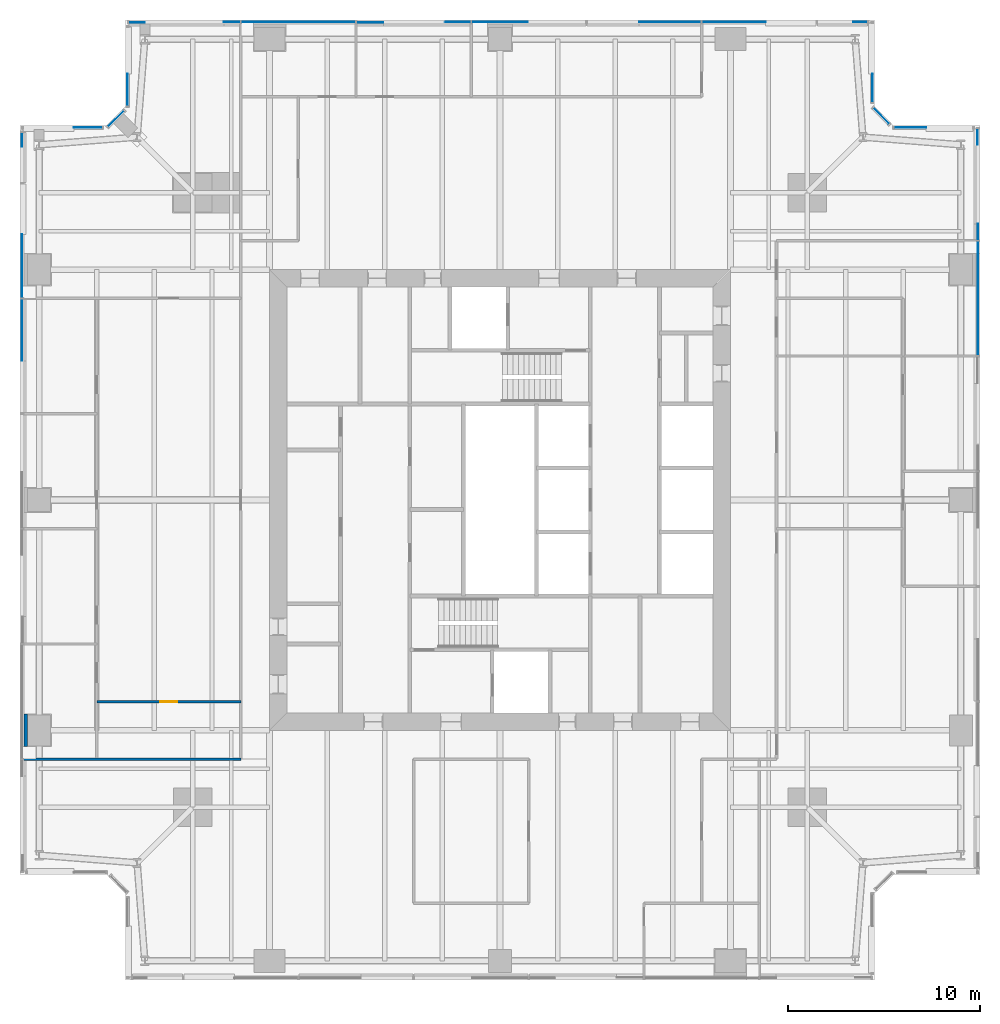
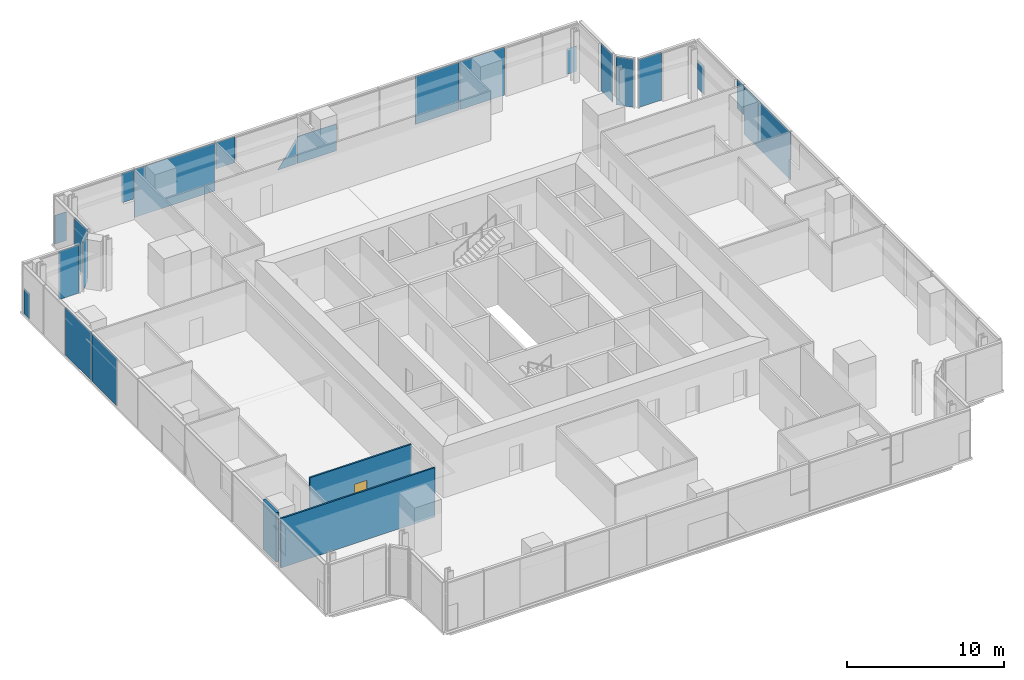
# One storey, part 10 of 16: 21 plates, 3 walls, 1 door, 1 opening, 9 elements without a shape of their own.
"""IFC4 building model written with IfcOpenShell, lengths in metres."""

from ifc_helpers import new_model, si_unit, direction, frame, frame_2d, origin, origin_2d, place, context, subcontext, project, spatial, polyline, rectangle, outline, extrude, material, layer, layer_set, type_object, element, fill, aggregate, save


model = new_model("IFC4")

# Units and contexts
model_context = context("Model", 3, precision=1e-05, world=origin(), true_north=direction((0.0, 1.0)))
body_context = subcontext(model_context, "Body", "Model", "MODEL_VIEW")
ifc_project = project(units=[si_unit("LENGTHUNIT", "METRE"), si_unit("AREAUNIT", "SQUARE_METRE"), si_unit("VOLUMEUNIT", "CUBIC_METRE"), si_unit("PLANEANGLEUNIT", "RADIAN"), si_unit("MASSUNIT", "GRAM", prefix="KILO")], contexts=[model_context])

# Site, building, storey
site_placement = place(None, origin())
site = spatial("IfcSite", under=ifc_project, at=site_placement, CompositionType="ELEMENT")
building_placement = place(site_placement, origin())
building = spatial("IfcBuilding", under=site, at=building_placement, Name="Fenwick Lantern Interchange", CompositionType="ELEMENT")
storey_placement = place(building_placement, frame((0.0, 0.0, 177.800048828125)))
storey = spatial("IfcBuildingStorey", under=building, at=storey_placement, Name="L41", CompositionType="ELEMENT", Elevation=177.800048828125)

# Curtain wall, plates
ifc_material_1 = material(Name="Aluminium curtain wall frame", Category="aluminium")
curtain_wall_type = type_object("IfcCurtainWallType", Name="OFFICE CURTAIN WALL", PredefinedType="USERDEFINED", material=ifc_material_1)
curtain_wall_1_placement = place(storey_placement, origin())
curtain_wall_1 = element("IfcCurtainWall", 1, at=curtain_wall_1_placement, inside=storey, type_object=curtain_wall_type, Name="Office curtain wall 05", ObjectType="OFFICE CURTAIN WALL", PredefinedType="USERDEFINED")
ifc_material_2 = material(Name="Vision glass, clear low-iron double glazed", Category="glass")
ifc_layer_1 = layer(ifc_material_2, 0.031982421875)
ifc_layer_set_1 = layer_set([ifc_layer_1], Name="OFFICE CURTAIN WALL PANEL 32")
plate_type = type_object("IfcPlateType", Name="OFFICE CURTAIN WALL PANEL 32", PredefinedType="CURTAIN_PANEL", material=ifc_layer_set_1)
plate_1_placement = place(storey_placement, frame((49.89990234375, 35.5, 0.0), z_axis=(0.0, 0.0, 1.0), x_axis=(0.0, 1.0, 0.0)))
plate_1 = element("IfcPlate", 2, at=plate_1_placement, type_object=plate_type, Name="L41/CW/05/P05", PredefinedType="CURTAIN_PANEL", context=body_context, shape_type="SweptSolid", body=[
    extrude(rectangle(XDim=5.93505859375, YDim=0.031982421875, at=origin_2d()), origin(), (0.0, 0.0, 1.0), 3.75),
])
plate_2_placement = place(storey_placement, frame((49.89990234375, 5.60009765625, 1.468017578125), z_axis=(0.0, 0.0, 1.0), x_axis=(0.0, 1.0, 0.0)))
plate_2 = element("IfcPlate", 3, at=plate_2_placement, type_object=plate_type, Name="L41/CW/05/P06a", PredefinedType="CURTAIN_PANEL", context=body_context, shape_type="SweptSolid", body=[
    extrude(outline(polyline([(32.9326171875, 0.0), (33.777587890625, 0.0), (33.777587890625, 2.281982421875), (32.9326171875, 2.281982421875), (32.9326171875, 0.0)])), frame((0.0, 0.01611328125, 0.0), z_axis=(0.0, -1.0, 0.0), x_axis=(1.0, 0.0, 0.0)), (0.0, 0.0, 1.0), 0.031982421875),
])
plate_3_placement = place(storey_placement, frame((49.89990234375, 5.60009765625, 0.0), z_axis=(0.0, 0.0, 1.0), x_axis=(0.0, 1.0, 0.0)))
plate_3 = element("IfcPlate", 4, at=plate_3_placement, type_object=plate_type, Name="L41/CW/05/P06b", PredefinedType="CURTAIN_PANEL", context=body_context, shape_type="SweptSolid", body=[
    extrude(outline(polyline([(37.902587890625, 0.0), (38.735107421875, 0.0), (38.735107421875, 2.2333984375), (37.902587890625, 2.2333984375), (37.902587890625, 0.0)])), frame((0.0, 0.0498046875, 0.0), z_axis=(0.0, -1.0, 0.0), x_axis=(1.0, 0.0, 0.0)), (0.0, 0.0, 1.0), 0.031982421875),
])
aggregate(curtain_wall_1, [plate_1, plate_2, plate_3])

# Curtain wall, plate
curtain_wall_2_placement = place(storey_placement, origin())
curtain_wall_2 = element("IfcCurtainWall", 5, at=curtain_wall_2_placement, inside=storey, type_object=curtain_wall_type, Name="Office curtain wall 06", ObjectType="OFFICE CURTAIN WALL", PredefinedType="USERDEFINED")
plate_4_placement = place(storey_placement, frame((49.89990234375, 44.39990234375, 0.0), z_axis=(0.0, 0.0, 1.0), x_axis=(-1.0, 0.0, 0.0)))
plate_4 = element("IfcPlate", 6, at=plate_4_placement, type_object=plate_type, Name="L41/CW/06/P00a", PredefinedType="CURTAIN_PANEL", context=body_context, shape_type="SweptSolid", body=[
    extrude(outline(polyline([(2.699951171875, 0.0), (4.37646484375, 0.0), (4.37646484375, 3.75), (2.699951171875, 3.75), (2.699951171875, 0.0)])), frame((0.0, 0.01611328125, 0.0), z_axis=(0.0, -1.0, 0.0), x_axis=(1.0, 0.0, 0.0)), (0.0, 0.0, 1.0), 0.031982421875),
])
aggregate(curtain_wall_2, [plate_4])

curtain_wall_3_placement = place(storey_placement, origin())
curtain_wall_3 = element("IfcCurtainWall", 7, at=curtain_wall_3_placement, inside=storey, type_object=curtain_wall_type, Name="Office curtain wall 07", ObjectType="OFFICE CURTAIN WALL", PredefinedType="USERDEFINED")
plate_5_placement = place(storey_placement, frame((44.858642578125, 45.0, 0.0), z_axis=(0.0, 0.0, 1.0), x_axis=(-0.707106781187, 0.707106781187, 0.0)))
plate_5 = element("IfcPlate", 8, at=plate_5_placement, type_object=plate_type, Name="L41/CW/07/P00", PredefinedType="CURTAIN_PANEL", context=body_context, shape_type="SweptSolid", body=[
    extrude(rectangle(XDim=1.1669921875, YDim=0.031982421875, at=origin_2d()), origin(), (0.0, 0.0, 1.0), 3.75),
])
aggregate(curtain_wall_3, [plate_5])

curtain_wall_4_placement = place(storey_placement, origin())
curtain_wall_4 = element("IfcCurtainWall", 9, at=curtain_wall_4_placement, inside=storey, type_object=curtain_wall_type, Name="Office curtain wall 08", ObjectType="OFFICE CURTAIN WALL", PredefinedType="USERDEFINED")
plate_6_placement = place(storey_placement, frame((44.39990234375, 45.45849609375, 0.0), z_axis=(0.0, 0.0, 1.0), x_axis=(0.0, 1.0, 0.0)))
plate_6 = element("IfcPlate", 10, at=plate_6_placement, type_object=plate_type, Name="L41/CW/08/P00a", PredefinedType="CURTAIN_PANEL", context=body_context, shape_type="SweptSolid", body=[
    extrude(outline(polyline([(0.264892578125, 0.0), (1.741455078125, 0.0), (1.741455078125, 3.75), (0.264892578125, 3.75), (0.264892578125, 0.0)])), frame((0.0, 0.01611328125, 0.0), z_axis=(0.0, -1.0, 0.0), x_axis=(1.0, 0.0, 0.0)), (0.0, 0.0, 1.0), 0.031982421875),
])
aggregate(curtain_wall_4, [plate_6])

# Curtain wall, plates
curtain_wall_5_placement = place(storey_placement, origin())
curtain_wall_5 = element("IfcCurtainWall", 11, at=curtain_wall_5_placement, inside=storey, type_object=curtain_wall_type, Name="Office curtain wall 09", ObjectType="OFFICE CURTAIN WALL", PredefinedType="USERDEFINED")
plate_7_placement = place(storey_placement, frame((44.39990234375, 49.89990234375, 0.0), z_axis=(0.0, 0.0, 1.0), x_axis=(-1.0, 0.0, 0.0)))
plate_7 = element("IfcPlate", 12, at=plate_7_placement, type_object=plate_type, Name="L41/CW/09/P00a", PredefinedType="CURTAIN_PANEL", context=body_context, shape_type="SweptSolid", body=[
    extrude(outline(polyline([(0.264892578125, 0.0), (0.9951171875, 0.0), (0.9951171875, 1.970947265625), (0.264892578125, 1.970947265625), (0.264892578125, 0.0)])), frame((0.0, 0.01611328125, 0.0), z_axis=(0.0, -1.0, 0.0), x_axis=(1.0, 0.0, 0.0)), (0.0, 0.0, 1.0), 0.031982421875),
])
plate_8_placement = place(storey_placement, frame((44.39990234375, 49.89990234375, 0.0), z_axis=(0.0, 0.0, 1.0), x_axis=(-1.0, 0.0, 0.0)))
plate_8 = element("IfcPlate", 13, at=plate_8_placement, type_object=plate_type, Name="L41/CW/09/P01a", PredefinedType="CURTAIN_PANEL", context=body_context, shape_type="SweptSolid", body=[
    extrude(outline(polyline([(5.5693359375, 0.0), (8.867431640625, 0.0), (8.867431640625, 3.75), (5.5693359375, 3.75), (5.5693359375, 0.0)])), frame((0.0, 0.01611328125, 0.0), z_axis=(0.0, -1.0, 0.0), x_axis=(1.0, 0.0, 0.0)), (0.0, 0.0, 1.0), 0.031982421875),
])
plate_9_placement = place(storey_placement, frame((44.39990234375, 49.89990234375, 0.004638671875), z_axis=(0.0, 0.0, 1.0), x_axis=(-1.0, 0.0, 0.0)))
plate_9 = element("IfcPlate", 14, at=plate_9_placement, type_object=plate_type, Name="L41/CW/09/P02a", PredefinedType="CURTAIN_PANEL", context=body_context, shape_type="SweptSolid", body=[
    extrude(outline(polyline([(8.9326171875, 0.0), (12.1474609375, 0.0), (12.1474609375, 3.745361328125), (8.9326171875, 3.745361328125), (8.9326171875, 0.0)])), frame((0.0, 0.01611328125, 0.0), z_axis=(0.0, -1.0, 0.0), x_axis=(1.0, 0.0, 0.0)), (0.0, 0.0, 1.0), 0.031982421875),
])
plate_10_placement = place(storey_placement, frame((44.39990234375, 49.89990234375, 0.0), z_axis=(0.0, 0.0, 1.0), x_axis=(-1.0, 0.0, 0.0)))
plate_10 = element("IfcPlate", 15, at=plate_10_placement, type_object=plate_type, Name="L41/CW/09/P03a", PredefinedType="CURTAIN_PANEL", context=body_context, shape_type="SweptSolid", body=[
    extrude(outline(polyline([(17.955078125, 0.0), (20.84521484375, 0.0), (20.84521484375, 2.105712890625), (17.955078125, 2.105712890625), (17.955078125, 0.0)])), frame((0.0, 0.01611328125, 0.0), z_axis=(0.0, -1.0, 0.0), x_axis=(1.0, 0.0, 0.0)), (0.0, 0.0, 1.0), 0.031982421875),
])
plate_11_placement = place(storey_placement, frame((44.39990234375, 49.89990234375, 0.0), z_axis=(0.0, 0.0, 1.0), x_axis=(-1.0, 0.0, 0.0)))
plate_11 = element("IfcPlate", 16, at=plate_11_placement, type_object=plate_type, Name="L41/CW/09/P04a", PredefinedType="CURTAIN_PANEL", context=body_context, shape_type="SweptSolid", body=[
    extrude(outline(polyline([(20.9326171875, 0.0), (22.289794921875, 0.0), (20.9326171875, 1.978515625), (20.9326171875, 0.0)])), frame((0.0, 0.01611328125, 0.0), z_axis=(0.0, -1.0, 0.0), x_axis=(1.0, 0.0, 0.0)), (0.0, 0.0, 1.0), 0.031982421875),
])
plate_12_placement = place(storey_placement, frame((44.39990234375, 49.89990234375, 1.723876953125), z_axis=(0.0, 0.0, 1.0), x_axis=(-1.0, 0.0, 0.0)))
plate_12 = element("IfcPlate", 17, at=plate_12_placement, type_object=plate_type, Name="L41/CW/09/P04b", PredefinedType="CURTAIN_PANEL", context=body_context, shape_type="SweptSolid", body=[
    extrude(outline(polyline([(25.472900390625, 0.0), (26.867431640625, 0.0), (26.867431640625, 2.026123046875), (25.472900390625, 2.026123046875), (25.472900390625, 0.0)])), frame((0.0, 0.0498046875, 0.0), z_axis=(0.0, -1.0, 0.0), x_axis=(1.0, 0.0, 0.0)), (0.0, 0.0, 1.0), 0.031982421875),
])
plate_13_placement = place(storey_placement, frame((14.5, 49.89990234375, 0.0), z_axis=(0.0, 0.0, 1.0), x_axis=(-1.0, 0.0, 0.0)))
plate_13 = element("IfcPlate", 18, at=plate_13_placement, type_object=plate_type, Name="L41/CW/09/P05", PredefinedType="CURTAIN_PANEL", context=body_context, shape_type="SweptSolid", body=[
    extrude(rectangle(XDim=5.93505859375, YDim=0.031982421875, at=origin_2d()), origin(), (0.0, 0.0, 1.0), 3.75),
])
plate_14_placement = place(storey_placement, frame((44.39990234375, 49.89990234375, 1.468017578125), z_axis=(0.0, 0.0, 1.0), x_axis=(-1.0, 0.0, 0.0)))
plate_14 = element("IfcPlate", 19, at=plate_14_placement, type_object=plate_type, Name="L41/CW/09/P06a", PredefinedType="CURTAIN_PANEL", context=body_context, shape_type="SweptSolid", body=[
    extrude(outline(polyline([(32.9326171875, 0.0), (33.777587890625, 0.0), (33.777587890625, 2.281982421875), (32.9326171875, 2.281982421875), (32.9326171875, 0.0)])), frame((0.0, 0.01611328125, 0.0), z_axis=(0.0, -1.0, 0.0), x_axis=(1.0, 0.0, 0.0)), (0.0, 0.0, 1.0), 0.031982421875),
])
plate_15_placement = place(storey_placement, frame((44.39990234375, 49.89990234375, 0.0), z_axis=(0.0, 0.0, 1.0), x_axis=(-1.0, 0.0, 0.0)))
plate_15 = element("IfcPlate", 20, at=plate_15_placement, type_object=plate_type, Name="L41/CW/09/P06b", PredefinedType="CURTAIN_PANEL", context=body_context, shape_type="SweptSolid", body=[
    extrude(outline(polyline([(37.902587890625, 0.0), (38.735107421875, 0.0), (38.735107421875, 2.2333984375), (37.902587890625, 2.2333984375), (37.902587890625, 0.0)])), frame((0.0, 0.0498046875, 0.0), z_axis=(0.0, -1.0, 0.0), x_axis=(1.0, 0.0, 0.0)), (0.0, 0.0, 1.0), 0.031982421875),
])
aggregate(curtain_wall_5, [plate_7, plate_8, plate_9, plate_10, plate_11, plate_12, plate_13, plate_14, plate_15])

# Curtain wall, plate
curtain_wall_6_placement = place(storey_placement, origin())
curtain_wall_6 = element("IfcCurtainWall", 21, at=curtain_wall_6_placement, inside=storey, type_object=curtain_wall_type, Name="Office curtain wall 10", ObjectType="OFFICE CURTAIN WALL", PredefinedType="USERDEFINED")
plate_16_placement = place(storey_placement, frame((5.60009765625, 49.89990234375, 0.0), z_axis=(0.0, 0.0, 1.0), x_axis=(0.0, -1.0, 0.0)))
plate_16 = element("IfcPlate", 22, at=plate_16_placement, type_object=plate_type, Name="L41/CW/10/P00a", PredefinedType="CURTAIN_PANEL", context=body_context, shape_type="SweptSolid", body=[
    extrude(outline(polyline([(2.699951171875, 0.0), (4.37646484375, 0.0), (4.37646484375, 3.75), (2.699951171875, 3.75), (2.699951171875, 0.0)])), frame((0.0, 0.01611328125, 0.0), z_axis=(0.0, -1.0, 0.0), x_axis=(1.0, 0.0, 0.0)), (0.0, 0.0, 1.0), 0.031982421875),
])
aggregate(curtain_wall_6, [plate_16])

curtain_wall_7_placement = place(storey_placement, origin())
curtain_wall_7 = element("IfcCurtainWall", 23, at=curtain_wall_7_placement, inside=storey, type_object=curtain_wall_type, Name="Office curtain wall 11", ObjectType="OFFICE CURTAIN WALL", PredefinedType="USERDEFINED")
plate_17_placement = place(storey_placement, frame((5.0, 44.858642578125, 0.0), z_axis=(0.0, 0.0, 1.0), x_axis=(-0.707106781187, -0.707106781187, 0.0)))
plate_17 = element("IfcPlate", 24, at=plate_17_placement, type_object=plate_type, Name="L41/CW/11/P00", PredefinedType="CURTAIN_PANEL", context=body_context, shape_type="SweptSolid", body=[
    extrude(rectangle(XDim=1.1669921875, YDim=0.031982421875, at=origin_2d()), origin(), (0.0, 0.0, 1.0), 3.75),
])
aggregate(curtain_wall_7, [plate_17])

curtain_wall_8_placement = place(storey_placement, origin())
curtain_wall_8 = element("IfcCurtainWall", 25, at=curtain_wall_8_placement, inside=storey, type_object=curtain_wall_type, Name="Office curtain wall 12", ObjectType="OFFICE CURTAIN WALL", PredefinedType="USERDEFINED")
plate_18_placement = place(storey_placement, frame((4.54150390625, 44.39990234375, 0.0), z_axis=(0.0, 0.0, 1.0), x_axis=(-1.0, 0.0, 0.0)))
plate_18 = element("IfcPlate", 26, at=plate_18_placement, type_object=plate_type, Name="L41/CW/12/P00a", PredefinedType="CURTAIN_PANEL", context=body_context, shape_type="SweptSolid", body=[
    extrude(outline(polyline([(0.264892578125, 0.0), (1.741455078125, 0.0), (1.741455078125, 3.75), (0.264892578125, 3.75), (0.264892578125, 0.0)])), frame((0.0, 0.01611328125, 0.0), z_axis=(0.0, -1.0, 0.0), x_axis=(1.0, 0.0, 0.0)), (0.0, 0.0, 1.0), 0.031982421875),
])
aggregate(curtain_wall_8, [plate_18])

# Curtain wall, plates
curtain_wall_9_placement = place(storey_placement, origin())
curtain_wall_9 = element("IfcCurtainWall", 27, at=curtain_wall_9_placement, inside=storey, type_object=curtain_wall_type, Name="Office curtain wall 13", ObjectType="OFFICE CURTAIN WALL", PredefinedType="USERDEFINED")
plate_19_placement = place(storey_placement, frame((0.10009765625, 44.39990234375, 0.0), z_axis=(0.0, 0.0, 1.0), x_axis=(0.0, -1.0, 0.0)))
plate_19 = element("IfcPlate", 28, at=plate_19_placement, type_object=plate_type, Name="L41/CW/13/P00a", PredefinedType="CURTAIN_PANEL", context=body_context, shape_type="SweptSolid", body=[
    extrude(outline(polyline([(0.264892578125, 0.0), (0.9951171875, 0.0), (0.9951171875, 1.970947265625), (0.264892578125, 1.970947265625), (0.264892578125, 0.0)])), frame((0.0, 0.01611328125, 0.0), z_axis=(0.0, -1.0, 0.0), x_axis=(1.0, 0.0, 0.0)), (0.0, 0.0, 1.0), 0.031982421875),
])
plate_20_placement = place(storey_placement, frame((0.10009765625, 44.39990234375, 0.0), z_axis=(0.0, 0.0, 1.0), x_axis=(0.0, -1.0, 0.0)))
plate_20 = element("IfcPlate", 29, at=plate_20_placement, type_object=plate_type, Name="L41/CW/13/P01a", PredefinedType="CURTAIN_PANEL", context=body_context, shape_type="SweptSolid", body=[
    extrude(outline(polyline([(5.5693359375, 0.0), (8.867431640625, 0.0), (8.867431640625, 3.75), (5.5693359375, 3.75), (5.5693359375, 0.0)])), frame((0.0, 0.01611328125, 0.0), z_axis=(0.0, -1.0, 0.0), x_axis=(1.0, 0.0, 0.0)), (0.0, 0.0, 1.0), 0.031982421875),
])
plate_21_placement = place(storey_placement, frame((0.10009765625, 44.39990234375, 0.004638671875), z_axis=(0.0, 0.0, 1.0), x_axis=(0.0, -1.0, 0.0)))
plate_21 = element("IfcPlate", 30, at=plate_21_placement, type_object=plate_type, Name="L41/CW/13/P02a", PredefinedType="CURTAIN_PANEL", context=body_context, shape_type="SweptSolid", body=[
    extrude(outline(polyline([(8.9326171875, 0.0), (12.1474609375, 0.0), (12.1474609375, 3.745361328125), (8.9326171875, 3.745361328125), (8.9326171875, 0.0)])), frame((0.0, 0.01611328125, 0.0), z_axis=(0.0, -1.0, 0.0), x_axis=(1.0, 0.0, 0.0)), (0.0, 0.0, 1.0), 0.031982421875),
])
aggregate(curtain_wall_9, [plate_19, plate_20, plate_21])

# Walls
ifc_material_3 = material(Name="Fire-rated gypsum board encasement on steel studs, 2 hour", Category="steel")
ifc_layer_2 = layer(ifc_material_3, 1.699951171875)
ifc_layer_set_2 = layer_set([ifc_layer_2], Name="COLUMN PIER 1700")
wall_type_1 = type_object("IfcWallType", Name="COLUMN PIER 1700", PredefinedType="PARTITIONING", material=ifc_layer_set_2)
wall_1_placement = place(storey_placement, frame((0.199951171875, 13.0, 0.0), z_axis=(0.0, 0.0, 1.0), x_axis=(1.0, 0.0, 0.0)))
element("IfcWall", 31, at=wall_1_placement, inside=storey, type_object=wall_type_1, Name="L41/W/PIER/CW4", PredefinedType="PARTITIONING", context=body_context, shape_type="SweptSolid", body=[
    extrude(rectangle(XDim=0.199951171875, YDim=1.699951171875, at=frame_2d((0.10009765625, 0.0))), origin(), (0.0, 0.0, 1.0), 3.849853515625),
])
ifc_material_4 = material(Name="Gypsum board on steel studs, acoustic", Category="steel")
ifc_layer_3 = layer(ifc_material_4, 0.125)
ifc_layer_set_3 = layer_set([ifc_layer_3], Name="OFFICE PARTITION 125")
wall_type_2 = type_object("IfcWallType", Name="OFFICE PARTITION 125", PredefinedType="PARTITIONING", material=ifc_layer_set_3)
wall_2_placement = place(storey_placement, frame((0.14990234375, 11.5, 0.0), z_axis=(0.0, 0.0, 1.0), x_axis=(1.0, 0.0, 0.0)))
element("IfcWall", 32, at=wall_2_placement, inside=storey, type_object=wall_type_2, Name="L41/W/OFF/S/BACK", PredefinedType="PARTITIONING", context=body_context, shape_type="SweptSolid", body=[
    extrude(rectangle(XDim=11.35009765625, YDim=0.125, at=frame_2d((5.675048828125, 0.0))), origin(), (0.0, 0.0, 1.0), 3.849853515625),
])

# Wall, opening, door
wall_3_placement = place(storey_placement, frame((4.0, 14.5, 0.0), z_axis=(0.0, 0.0, 1.0), x_axis=(1.0, 0.0, 0.0)))
wall_3 = element("IfcWall", 33, at=wall_3_placement, inside=storey, type_object=wall_type_2, Name="L41/W/OFF/W/X355-1", PredefinedType="PARTITIONING", context=body_context, shape_type="SweptSolid", body=[
    extrude(rectangle(XDim=7.5, YDim=0.125, at=frame_2d((3.75, 0.0))), origin(), (0.0, 0.0, 1.0), 3.849853515625),
])
opening_placement = place(wall_3_placement, frame((3.300048828125, 0.0, 0.0)))
opening = element("IfcOpeningElement", 34, at=opening_placement, cuts=wall_3, Name="Opening L41-D042", PredefinedType="OPENING", context=body_context, shape_type="SweptSolid", body=[
    extrude(rectangle(XDim=0.89990234375, YDim=2.199951171875, at=frame_2d((0.449951171875, 1.10009765625))), frame((0.0, 0.072509765625, 0.0), z_axis=(0.0, -1.0, 0.0), x_axis=(1.0, 0.0, 0.0)), (0.0, 0.0, 1.0), 0.14501953125),
])
ifc_material_5 = material(Name="Hardwood door and steel frame", Category="steel")
door_type = type_object("IfcDoorType", Name="OFFICE DOOR 900 X 2200", OperationType="SINGLE_SWING_LEFT", PredefinedType="DOOR", material=ifc_material_5)
door_placement = place(opening_placement, frame((0.89990234375, 0.0, 0.0), z_axis=(0.0, 0.0, 1.0), x_axis=(-1.0, 0.0, 0.0)))
door = element("IfcDoor", 35, at=door_placement, inside=storey, type_object=door_type, Name="Office door", OperationType="SINGLE_SWING_RIGHT", OverallHeight=2.199951171875, OverallWidth=0.89990234375, PredefinedType="DOOR", context=body_context, shape_type="SweptSolid", body=[
    extrude(rectangle(XDim=0.89990234375, YDim=2.199951171875, at=frame_2d((0.449951171875, 1.10009765625))), frame((0.0, 0.02490234375, 0.0), z_axis=(0.0, -1.0, 0.0), x_axis=(1.0, 0.0, 0.0)), (0.0, 0.0, 1.0), 0.050048828125),
])
fill(opening, door)

save(model, "model.ifc")
